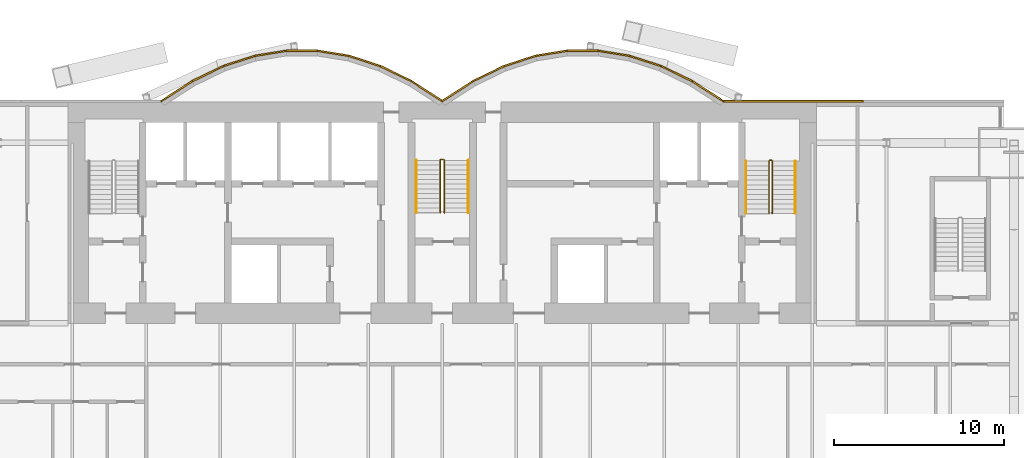
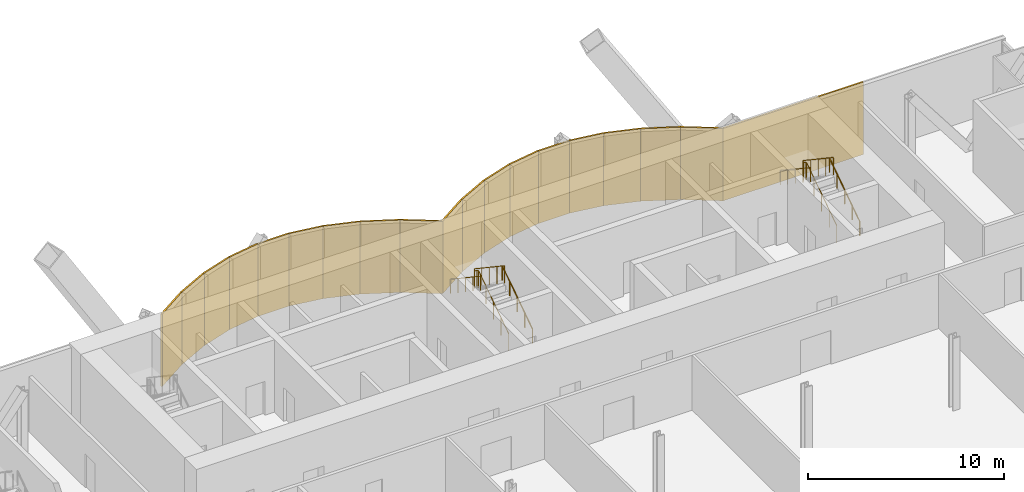
# One storey, part 22 of 23: 19 coverings, 6 railings.
"""IFC4 building model written with IfcOpenShell, lengths in metres."""

import ifcopenshell
import ifcopenshell.guid

model = None  # the IFC model being written
_history = None  # IfcOwnerHistory: only IFC2X3 demands one
_inside = {}  # id of a spatial element -> (the spatial element, [elements in it])
_under = {}  # id of a project, library or spatial element -> (it, [spatial elements below it])
_declared = {}  # id of a project -> (the project, [libraries it declares])
_typed = {}  # id of a type object -> (the type object, [elements of that type])
_made_of = {}  # id of a material, layer set ... -> (it, [elements and type objects made of it])


def new_model(schema):
    """Start an empty IFC model of exactly this schema.

    Asked for "IFC4X3", IfcOpenShell would pick the latest addendum, in which some entities
    have other attributes; the version numbers below select the first issue.
    IFC2X3 requires an IfcOwnerHistory on every rooted entity: one is made here for all.
    """
    global model, _history
    if schema == "IFC4X3":
        model = ifcopenshell.file(schema_version=(4, 3, 0, 0))
    else:
        model = ifcopenshell.file(schema=schema)
    _inside.clear()
    _under.clear()
    _declared.clear()
    _typed.clear()
    _made_of.clear()
    _history = None
    if model.schema == "IFC2X3":
        org = make("IfcOrganization", Name="unknown")
        user = make(
            "IfcPersonAndOrganization",
            ThePerson=make("IfcPerson", FamilyName="unknown"),
            TheOrganization=org,
        )
        app = make(
            "IfcApplication",
            ApplicationDeveloper=org,
            Version="unknown",
            ApplicationFullName="unknown",
            ApplicationIdentifier="unknown",
        )
        _history = make(
            "IfcOwnerHistory",
            OwningUser=user,
            OwningApplication=app,
            ChangeAction="ADDED",
            CreationDate=0,
        )
    return model


def make(cls, **values):
    """One entity of the class cls with the attributes given. An attribute that is None is left unset."""
    return model.create_entity(
        cls, **{name: value for name, value in values.items() if value is not None}
    )


def rooted(cls, **values):
    """An entity with a GlobalId (a new one), such as an element, a storey or a relation."""
    return make(cls, GlobalId=ifcopenshell.guid.new(), OwnerHistory=_history, **values)


def si_unit(unit_type, name, prefix=None):
    """IfcSIUnit, for example si_unit("LENGTHUNIT", "METRE", prefix="MILLI")."""
    return make("IfcSIUnit", UnitType=unit_type, Prefix=prefix, Name=name)


def assignment(units):
    """IfcUnitAssignment: the units of a project."""
    return None if units is None else make("IfcUnitAssignment", Units=units)


def point(xyz):
    """IfcCartesianPoint."""
    return None if xyz is None else make("IfcCartesianPoint", Coordinates=xyz)


def direction(xyz):
    """IfcDirection."""
    return None if xyz is None else make("IfcDirection", DirectionRatios=xyz)


def frame(location, z_axis=None, x_axis=None):
    """IfcAxis2Placement3D, a coordinate frame: its origin and axes. An axis left out is left unset."""
    return make(
        "IfcAxis2Placement3D",
        Location=point(location),
        Axis=direction(z_axis),
        RefDirection=direction(x_axis),
    )


def frame_2d(location, x_axis=None):
    """IfcAxis2Placement2D, a coordinate frame in the plane: its origin and x axis."""
    return make(
        "IfcAxis2Placement2D", Location=point(location), RefDirection=direction(x_axis)
    )


def origin():
    """The frame at (0, 0, 0) with its axes left unset."""
    return frame((0.0, 0.0, 0.0))


def origin_2d():
    """The frame at (0, 0) in the plane with its x axis left unset."""
    return frame_2d((0.0, 0.0))


def place(relative_to, where):
    """IfcLocalPlacement: puts the frame where relative to a parent placement (None: the world)."""
    return make(
        "IfcLocalPlacement", PlacementRelTo=relative_to, RelativePlacement=where
    )


def context(
    kind, dimensions, precision=None, world=None, true_north=None, identifier=None
):
    """IfcGeometricRepresentationContext, for example the 3D "Model" context."""
    return make(
        "IfcGeometricRepresentationContext",
        ContextIdentifier=identifier,
        ContextType=kind,
        CoordinateSpaceDimension=dimensions,
        Precision=precision,
        WorldCoordinateSystem=world,
        TrueNorth=true_north,
    )


def subcontext(parent, identifier, kind, view, scale=None):
    """IfcGeometricRepresentationSubContext, for example "Body" below "Model"."""
    return make(
        "IfcGeometricRepresentationSubContext",
        ContextIdentifier=identifier,
        ContextType=kind,
        ParentContext=parent,
        TargetScale=scale,
        TargetView=view,
    )


def project(units=None, contexts=None):
    """IfcProject with its units and contexts."""
    return rooted(
        "IfcProject",
        Name="project",
        RepresentationContexts=contexts,
        UnitsInContext=assignment(units),
    )


def spatial(cls, under=None, at=None, **own):
    """A site, building, storey or space (cls), placed at a placement, below another one or the project."""
    s = rooted(cls, ObjectPlacement=at, **own)
    if under is not None:
        _under.setdefault(under.id(), (under, []))[1].append(s)
    return s


def profile(cls, at=None, kind="AREA", **sizes):
    """A parametric profile (cls). Its sizes go by their IFC names, for example OverallWidth=200.0."""
    return make(cls, ProfileType=kind, Position=at, **sizes)


def rectangle(**sizes):
    """IfcRectangleProfileDef."""
    return profile("IfcRectangleProfileDef", **sizes)


def circle(**sizes):
    """IfcCircleProfileDef."""
    return profile("IfcCircleProfileDef", **sizes)


def extrude(swept, where, along, depth):
    """IfcExtrudedAreaSolid: the profile swept, set in the frame where, extruded along a direction by depth."""
    return make(
        "IfcExtrudedAreaSolid",
        SweptArea=swept,
        Position=where,
        ExtrudedDirection=direction(along),
        Depth=depth,
    )


def shape(context_of_items, identifier, shape_type, items):
    """IfcShapeRepresentation: the items that make up one representation, for example the "Body"."""
    return make(
        "IfcShapeRepresentation",
        ContextOfItems=context_of_items,
        RepresentationIdentifier=identifier,
        RepresentationType=shape_type,
        Items=items,
    )


def material(Name=None, Category=None):
    """IfcMaterial."""
    return make("IfcMaterial", Name=Name, Category=Category)


def layer(
    of_material, thickness, ventilated=None, Name=None, Category=None, Priority=None
):
    """IfcMaterialLayer: one layer of a wall or slab, of a material (None: an air gap)."""
    return make(
        "IfcMaterialLayer",
        Material=of_material,
        LayerThickness=thickness,
        IsVentilated=ventilated,
        Name=Name,
        Category=Category,
        Priority=Priority,
    )


def layer_set(layers, Name=None):
    """IfcMaterialLayerSet."""
    return make("IfcMaterialLayerSet", MaterialLayers=layers, LayerSetName=Name)


def made_of(thing, what):
    """Note that an element or type object is made of a material, layer set ...; save() writes the relation."""
    if what is not None:
        _made_of.setdefault(what.id(), (what, []))[1].append(thing)
    return thing


def type_object(cls, material=None, **own):
    """A type object (cls), such as IfcWallType, which elements share."""
    return made_of(rooted(cls, **own), material)


def element(
    cls,
    number,
    at=None,
    inside=None,
    cuts=None,
    type_object=None,
    material=None,
    context=None,
    identifier="Body",
    shape_type=None,
    held_by="IfcProductDefinitionShape",
    body=None,
    shapes=None,
    **own,
):
    """One element of the class cls, such as IfcWall. Its Tag is "e" and its number.

    at: its placement. inside: the storey or other place that contains it. cuts: it is an
    opening in that element (IfcRelVoidsElement). A single representation is given by context,
    identifier, shape_type and body (its items); several are given by shapes. held_by: the class
    of the entity that holds the representations. save() writes the other relations.
    """
    e = rooted(cls, Tag="e%d" % number, ObjectPlacement=at, **own)
    if body is not None:
        shapes = [shape(context, identifier, shape_type, body)]
    if shapes is not None:
        e.Representation = make(held_by, Representations=shapes)
    if inside is not None:
        _inside.setdefault(inside.id(), (inside, []))[1].append(e)
    if cuts is not None:
        rooted(
            "IfcRelVoidsElement", RelatingBuildingElement=cuts, RelatedOpeningElement=e
        )
    if type_object is not None:
        _typed.setdefault(type_object.id(), (type_object, []))[1].append(e)
    return made_of(e, material)


def aggregate(whole, parts):
    """IfcRelAggregates: a whole, such as a stair, and the parts it consists of."""
    return rooted("IfcRelAggregates", RelatingObject=whole, RelatedObjects=parts)


def save(model, path):
    """Write the relations noted so far, then the file.

    IfcRelAggregates (storeys below a building ...), IfcRelContainedInSpatialStructure (elements
    in a storey), IfcRelDefinesByType, IfcRelAssociatesMaterial and IfcRelDeclares: one each for
    every whole, place, type object, material and project.
    """
    for whole, parts in _under.values():
        aggregate(whole, parts)
    for where, things in _inside.values():
        rooted(
            "IfcRelContainedInSpatialStructure",
            RelatedElements=things,
            RelatingStructure=where,
        )
    for kind, things in _typed.values():
        rooted("IfcRelDefinesByType", RelatedObjects=things, RelatingType=kind)
    for what, things in _made_of.values():
        rooted("IfcRelAssociatesMaterial", RelatedObjects=things, RelatingMaterial=what)
    for by, libraries in _declared.values():
        rooted("IfcRelDeclares", RelatingContext=by, RelatedDefinitions=libraries)
    model.write(path)


model = new_model("IFC4")

# Units and contexts
model_context = context("Model", 3, precision=1e-05, world=origin(), true_north=direction((0.0, 1.0)))
body_context = subcontext(model_context, "Body", "Model", "MODEL_VIEW")
ifc_project = project(units=[si_unit("LENGTHUNIT", "METRE"), si_unit("AREAUNIT", "SQUARE_METRE"), si_unit("VOLUMEUNIT", "CUBIC_METRE"), si_unit("PLANEANGLEUNIT", "RADIAN"), si_unit("MASSUNIT", "GRAM", prefix="KILO")], contexts=[model_context])

# Site, building, storey
site_placement = place(None, origin())
site = spatial("IfcSite", under=ifc_project, at=site_placement, CompositionType="ELEMENT")
building_placement = place(site_placement, origin())
building = spatial("IfcBuilding", under=site, at=building_placement, Name="Bicima Exchange Tower", CompositionType="ELEMENT")
storey_placement = place(building_placement, frame((0.0, 0.0, 62.0)))
storey = spatial("IfcBuildingStorey", under=building, at=storey_placement, Name="L12", CompositionType="ELEMENT", Elevation=62.0)

# Coverings
ifc_material_1 = material(Name="Bronze metal cladding")
ifc_layer_1 = layer(ifc_material_1, 0.004)
ifc_material_2 = material(Name="Ventilated cavity")
ifc_layer_2 = layer(ifc_material_2, 0.06)
ifc_material_3 = material(Name="Galvanised steel rail and mineral wool", Category="steel")
ifc_layer_3 = layer(ifc_material_3, 0.036)
ifc_layer_set = layer_set([ifc_layer_1, ifc_layer_2, ifc_layer_3], Name="Ventilated cavity")
covering_type = type_object("IfcCoveringType", Name="Bronze metal cladding panel 100", PredefinedType="CLADDING", material=ifc_layer_set)
covering_1_placement = place(storey_placement, frame((20.625, 0.050048828125, -0.14990234375), z_axis=(0.0, 0.0, 1.0), x_axis=(-1.0, 0.0, 0.0)))
element("IfcCovering", 1, at=covering_1_placement, inside=storey, type_object=covering_type, Name="Bronze cladding L12 1.2", PredefinedType="CLADDING", context=body_context, shape_type="SweptSolid", body=[
    extrude(rectangle(XDim=8.25, YDim=0.10009765625, at=origin_2d()), origin(), (0.0, 0.0, 1.0), 4.5),
])
covering_2_placement = place(storey_placement, frame((15.610595703125, 0.634521484375, -0.14990234375), z_axis=(0.0, 0.0, 1.0), x_axis=(-0.839790466384, 0.542910648791, 0.0)))
element("IfcCovering", 2, at=covering_2_placement, inside=storey, type_object=covering_type, Name="Bronze cladding L12 2.1", PredefinedType="CLADDING", context=body_context, shape_type="SweptSolid", body=[
    extrude(rectangle(XDim=2.18310546875, YDim=0.10009765625, at=origin_2d()), origin(), (0.0, 0.0, 1.0), 4.5),
])
covering_3_placement = place(storey_placement, frame((13.771728515625, 1.674560546875, -0.14990234375), z_axis=(0.0, 0.0, 1.0), x_axis=(-0.899818346812, 0.436264762204, 0.0)))
element("IfcCovering", 3, at=covering_3_placement, inside=storey, type_object=covering_type, Name="Bronze cladding L12 3.1", PredefinedType="CLADDING", context=body_context, shape_type="SweptSolid", body=[
    extrude(rectangle(XDim=2.03759765625, YDim=0.10009765625, at=origin_2d()), origin(), (0.0, 0.0, 1.0), 4.5),
])
covering_4_placement = place(storey_placement, frame((11.931884765625, 2.41796875, -0.14990234375), z_axis=(0.0, 0.0, 1.0), x_axis=(-0.951524642381, 0.307572519808, 0.0)))
element("IfcCovering", 4, at=covering_4_placement, inside=storey, type_object=covering_type, Name="Bronze cladding L12 4.1", PredefinedType="CLADDING", context=body_context, shape_type="SweptSolid", body=[
    extrude(rectangle(XDim=1.9267578125, YDim=0.10009765625, at=origin_2d()), origin(), (0.0, 0.0, 1.0), 4.5),
])
covering_5_placement = place(storey_placement, frame((10.09130859375, 2.8642578125, -0.14990234375), z_axis=(0.0, 0.0, 1.0), x_axis=(-0.987189786347, 0.159550386184, 0.0)))
element("IfcCovering", 5, at=covering_5_placement, inside=storey, type_object=covering_type, Name="Bronze cladding L12 5.1", PredefinedType="CLADDING", context=body_context, shape_type="SweptSolid", body=[
    extrude(rectangle(XDim=1.857177734375, YDim=0.10009765625, at=origin_2d()), origin(), (0.0, 0.0, 1.0), 4.5),
])
covering_6_placement = place(storey_placement, frame((8.25, 3.012939453125, -0.14990234375), z_axis=(0.0, 0.0, 1.0), x_axis=(-1.0, 0.0, 0.0)))
element("IfcCovering", 6, at=covering_6_placement, inside=storey, type_object=covering_type, Name="Bronze cladding L12 6.1", PredefinedType="CLADDING", context=body_context, shape_type="SweptSolid", body=[
    extrude(rectangle(XDim=1.83349609375, YDim=0.10009765625, at=origin_2d()), origin(), (0.0, 0.0, 1.0), 4.5),
])
covering_7_placement = place(storey_placement, frame((6.40869140625, 2.8642578125, -0.14990234375), z_axis=(0.0, 0.0, 1.0), x_axis=(-0.987189786347, -0.159550386184, 0.0)))
element("IfcCovering", 7, at=covering_7_placement, inside=storey, type_object=covering_type, Name="Bronze cladding L12 7.1", PredefinedType="CLADDING", context=body_context, shape_type="SweptSolid", body=[
    extrude(rectangle(XDim=1.857177734375, YDim=0.10009765625, at=origin_2d()), origin(), (0.0, 0.0, 1.0), 4.5),
])
covering_8_placement = place(storey_placement, frame((4.568115234375, 2.41796875, -0.14990234375), z_axis=(0.0, 0.0, 1.0), x_axis=(-0.951524642381, -0.307572519808, 0.0)))
element("IfcCovering", 8, at=covering_8_placement, inside=storey, type_object=covering_type, Name="Bronze cladding L12 8.1", PredefinedType="CLADDING", context=body_context, shape_type="SweptSolid", body=[
    extrude(rectangle(XDim=1.9267578125, YDim=0.10009765625, at=origin_2d()), origin(), (0.0, 0.0, 1.0), 4.5),
])
covering_9_placement = place(storey_placement, frame((2.728271484375, 1.674560546875, -0.14990234375), z_axis=(0.0, 0.0, 1.0), x_axis=(-0.899818346812, -0.436264762204, 0.0)))
element("IfcCovering", 9, at=covering_9_placement, inside=storey, type_object=covering_type, Name="Bronze cladding L12 9.1", PredefinedType="CLADDING", context=body_context, shape_type="SweptSolid", body=[
    extrude(rectangle(XDim=2.03759765625, YDim=0.10009765625, at=origin_2d()), origin(), (0.0, 0.0, 1.0), 4.5),
])
for number, where, z_axis, x_axis, name in (
    (10, (0.889404296875, 0.634521484375, -0.14990234375), (0.0, 0.0, 1.0), (-0.839790466384, -0.542910648791, 0.0), "Bronze cladding L12 10.1"),
    (11, (-0.889404296875, 0.634521484375, -0.14990234375), (0.0, 0.0, 1.0), (-0.839790466384, 0.542910648791, 0.0), "Bronze cladding L12 11.1"),
):
    element("IfcCovering", number, at=place(storey_placement, frame(where, z_axis=z_axis, x_axis=x_axis)), inside=storey, type_object=covering_type, Name=name, PredefinedType="CLADDING", context=body_context, shape_type="SweptSolid", body=[
        extrude(rectangle(XDim=2.18310546875, YDim=0.10009765625, at=origin_2d()), origin(), (0.0, 0.0, 1.0), 4.5),
    ])
covering_10_placement = place(storey_placement, frame((-2.728271484375, 1.674560546875, -0.14990234375), z_axis=(0.0, 0.0, 1.0), x_axis=(-0.899818346812, 0.436264762204, 0.0)))
element("IfcCovering", 12, at=covering_10_placement, inside=storey, type_object=covering_type, Name="Bronze cladding L12 12.1", PredefinedType="CLADDING", context=body_context, shape_type="SweptSolid", body=[
    extrude(rectangle(XDim=2.03759765625, YDim=0.10009765625, at=origin_2d()), origin(), (0.0, 0.0, 1.0), 4.5),
])
covering_11_placement = place(storey_placement, frame((-4.568115234375, 2.41796875, -0.14990234375), z_axis=(0.0, 0.0, 1.0), x_axis=(-0.951524642381, 0.307572519808, 0.0)))
element("IfcCovering", 13, at=covering_11_placement, inside=storey, type_object=covering_type, Name="Bronze cladding L12 13.1", PredefinedType="CLADDING", context=body_context, shape_type="SweptSolid", body=[
    extrude(rectangle(XDim=1.9267578125, YDim=0.10009765625, at=origin_2d()), origin(), (0.0, 0.0, 1.0), 4.5),
])
covering_12_placement = place(storey_placement, frame((-6.40869140625, 2.8642578125, -0.14990234375), z_axis=(0.0, 0.0, 1.0), x_axis=(-0.987189786347, 0.159550386184, 0.0)))
element("IfcCovering", 14, at=covering_12_placement, inside=storey, type_object=covering_type, Name="Bronze cladding L12 14.1", PredefinedType="CLADDING", context=body_context, shape_type="SweptSolid", body=[
    extrude(rectangle(XDim=1.857177734375, YDim=0.10009765625, at=origin_2d()), origin(), (0.0, 0.0, 1.0), 4.5),
])
covering_13_placement = place(storey_placement, frame((-8.25, 3.012939453125, -0.14990234375), z_axis=(0.0, 0.0, 1.0), x_axis=(-1.0, 0.0, 0.0)))
element("IfcCovering", 15, at=covering_13_placement, inside=storey, type_object=covering_type, Name="Bronze cladding L12 15.1", PredefinedType="CLADDING", context=body_context, shape_type="SweptSolid", body=[
    extrude(rectangle(XDim=1.83349609375, YDim=0.10009765625, at=origin_2d()), origin(), (0.0, 0.0, 1.0), 4.5),
])
covering_14_placement = place(storey_placement, frame((-10.09130859375, 2.8642578125, -0.14990234375), z_axis=(0.0, 0.0, 1.0), x_axis=(-0.987189786347, -0.159550386184, 0.0)))
element("IfcCovering", 16, at=covering_14_placement, inside=storey, type_object=covering_type, Name="Bronze cladding L12 16.1", PredefinedType="CLADDING", context=body_context, shape_type="SweptSolid", body=[
    extrude(rectangle(XDim=1.857177734375, YDim=0.10009765625, at=origin_2d()), origin(), (0.0, 0.0, 1.0), 4.5),
])
covering_15_placement = place(storey_placement, frame((-11.931884765625, 2.41796875, -0.14990234375), z_axis=(0.0, 0.0, 1.0), x_axis=(-0.951524642381, -0.307572519808, 0.0)))
element("IfcCovering", 17, at=covering_15_placement, inside=storey, type_object=covering_type, Name="Bronze cladding L12 17.1", PredefinedType="CLADDING", context=body_context, shape_type="SweptSolid", body=[
    extrude(rectangle(XDim=1.9267578125, YDim=0.10009765625, at=origin_2d()), origin(), (0.0, 0.0, 1.0), 4.5),
])
covering_16_placement = place(storey_placement, frame((-13.771728515625, 1.674560546875, -0.14990234375), z_axis=(0.0, 0.0, 1.0), x_axis=(-0.899818346812, -0.436264762204, 0.0)))
element("IfcCovering", 18, at=covering_16_placement, inside=storey, type_object=covering_type, Name="Bronze cladding L12 18.1", PredefinedType="CLADDING", context=body_context, shape_type="SweptSolid", body=[
    extrude(rectangle(XDim=2.03759765625, YDim=0.10009765625, at=origin_2d()), origin(), (0.0, 0.0, 1.0), 4.5),
])
covering_17_placement = place(storey_placement, frame((-15.610595703125, 0.634521484375, -0.14990234375), z_axis=(0.0, 0.0, 1.0), x_axis=(-0.839790466384, -0.542910648791, 0.0)))
element("IfcCovering", 19, at=covering_17_placement, inside=storey, type_object=covering_type, Name="Bronze cladding L12 19.1", PredefinedType="CLADDING", context=body_context, shape_type="SweptSolid", body=[
    extrude(rectangle(XDim=2.18310546875, YDim=0.10009765625, at=origin_2d()), origin(), (0.0, 0.0, 1.0), 4.5),
])

# Railings
ifc_material_4 = material(Name="Stainless steel", Category="steel")
railing_type_1 = type_object("IfcRailingType", Name="Stair guard 1100", PredefinedType="GUARDRAIL", material=ifc_material_4)
railing_1_placement = place(storey_placement, frame((0.125, -6.5, 0.1875)))
element("IfcRailing", 20, at=railing_1_placement, inside=storey, type_object=railing_type_1, Name="L12 ST-C stair guard 1", PredefinedType="GUARDRAIL", context=body_context, shape_type="SweptSolid", body=[
    extrude(circle(Radius=0.02392578125, at=origin_2d()), frame((0.0, 0.0, 1.076171875), z_axis=(0.0, 0.830913701846, 0.55640131208), x_axis=(-1.0, 0.0, 0.0)), (0.0, 0.0, 1.0), 3.706787109375),
    extrude(circle(Radius=0.02392578125, at=origin_2d()), frame((0.0, 3.080078125, 3.138671875), z_axis=(-0.708833529934, 0.705375805398, 0.0), x_axis=(-0.705375805398, -0.708833529934, 0.0)), (0.0, 0.0, 1.0), 0.070556640625),
    extrude(circle(Radius=0.02392578125, at=origin_2d()), frame((-0.050048828125, 3.1298828125, 3.138671875), z_axis=(-1.0, 0.0, 0.0), x_axis=(0.0, -1.0, 0.0)), (0.0, 0.0, 1.0), 0.14990234375),
    extrude(circle(Radius=0.02392578125, at=origin_2d()), frame((-0.199951171875, 3.1298828125, 3.138671875), z_axis=(-0.249802250048, -0.248583702486, 0.935844527007), x_axis=(0.705375805398, -0.708833529934, 0.0)), (0.0, 0.0, 1.0), 0.200439453125),
    extrude(circle(Radius=0.02392578125, at=origin_2d()), frame((-0.25, 3.080078125, 3.326171875), z_axis=(0.0, -0.830913701846, 0.55640131208), x_axis=(1.0, 0.0, 0.0)), (0.0, 0.0, 1.0), 3.706787109375),
    extrude(circle(Radius=0.02099609375, at=origin_2d()), origin(), (0.0, 0.0, 1.0), 1.052001953125),
    extrude(circle(Radius=0.02099609375, at=origin_2d()), frame((0.0, 0.77001953125, 0.515625)), (0.0, 0.0, 1.0), 1.052001953125),
    extrude(circle(Radius=0.02099609375, at=origin_2d()), frame((0.0, 1.5400390625, 1.03125)), (0.0, 0.0, 1.0), 1.052001953125),
    extrude(circle(Radius=0.02099609375, at=origin_2d()), frame((0.0, 2.31005859375, 1.546875)), (0.0, 0.0, 1.0), 1.052001953125),
    extrude(circle(Radius=0.02099609375, at=origin_2d()), frame((0.0, 3.080078125, 2.0625)), (0.0, 0.0, 1.0), 1.052001953125),
    extrude(circle(Radius=0.02099609375, at=origin_2d()), frame((-0.050048828125, 3.1298828125, 2.0625)), (0.0, 0.0, 1.0), 1.052001953125),
    extrude(circle(Radius=0.02099609375, at=origin_2d()), frame((-0.199951171875, 3.1298828125, 2.0625)), (0.0, 0.0, 1.0), 1.052001953125),
    extrude(circle(Radius=0.02099609375, at=origin_2d()), frame((-0.25, 3.080078125, 2.25)), (0.0, 0.0, 1.0), 1.052001953125),
    extrude(circle(Radius=0.02099609375, at=origin_2d()), frame((-0.25, 2.31005859375, 2.765625)), (0.0, 0.0, 1.0), 1.052001953125),
    extrude(circle(Radius=0.02099609375, at=origin_2d()), frame((-0.25, 1.5400390625, 3.28125)), (0.0, 0.0, 1.0), 1.052001953125),
    extrude(circle(Radius=0.02099609375, at=origin_2d()), frame((-0.25, 0.77001953125, 3.796875)), (0.0, 0.0, 1.0), 1.052001953125),
    extrude(circle(Radius=0.02099609375, at=origin_2d()), frame((-0.25, 0.0, 4.3125)), (0.0, 0.0, 1.0), 1.052001953125),
])
railing_2_placement = place(storey_placement, frame((19.39990234375, -6.550048828125, 0.1875)))
element("IfcRailing", 21, at=railing_2_placement, inside=storey, type_object=railing_type_1, Name="L12 ST-E stair guard 1", PredefinedType="GUARDRAIL", context=body_context, shape_type="SweptSolid", body=[
    extrude(circle(Radius=0.02392578125, at=origin_2d()), frame((0.0, 0.0, 1.076171875), z_axis=(0.0, 0.830913701846, 0.55640131208), x_axis=(-1.0, 0.0, 0.0)), (0.0, 0.0, 1.0), 3.706787109375),
    extrude(circle(Radius=0.02392578125, at=origin_2d()), frame((0.0, 3.080078125, 3.138671875), z_axis=(-0.705375805398, 0.708833529934, 0.0), x_axis=(-0.708833529934, -0.705375805398, 0.0)), (0.0, 0.0, 1.0), 0.070556640625),
    extrude(circle(Radius=0.02392578125, at=origin_2d()), frame((-0.0498046875, 3.130126953125, 3.138671875), z_axis=(-1.0, 0.0, 0.0), x_axis=(0.0, -1.0, 0.0)), (0.0, 0.0, 1.0), 0.10009765625),
    extrude(circle(Radius=0.02392578125, at=origin_2d()), frame((-0.14990234375, 3.130126953125, 3.138671875), z_axis=(-0.249726431254, -0.249726431254, 0.935560483917), x_axis=(0.707106781187, -0.707106781187, 0.0)), (0.0, 0.0, 1.0), 0.200439453125),
    extrude(circle(Radius=0.02392578125, at=origin_2d()), frame((-0.199951171875, 3.080078125, 3.326171875), z_axis=(0.0, -0.830913701846, 0.55640131208), x_axis=(1.0, 0.0, 0.0)), (0.0, 0.0, 1.0), 3.706787109375),
    extrude(circle(Radius=0.02099609375, at=origin_2d()), origin(), (0.0, 0.0, 1.0), 1.052001953125),
    extrude(circle(Radius=0.02099609375, at=origin_2d()), frame((0.0, 0.77001953125, 0.515625)), (0.0, 0.0, 1.0), 1.052001953125),
    extrude(circle(Radius=0.02099609375, at=origin_2d()), frame((0.0, 1.5400390625, 1.03125)), (0.0, 0.0, 1.0), 1.052001953125),
    extrude(circle(Radius=0.02099609375, at=origin_2d()), frame((0.0, 2.31005859375, 1.546875)), (0.0, 0.0, 1.0), 1.052001953125),
    extrude(circle(Radius=0.02099609375, at=origin_2d()), frame((0.0, 3.080078125, 2.0625)), (0.0, 0.0, 1.0), 1.052001953125),
    extrude(circle(Radius=0.02099609375, at=origin_2d()), frame((-0.0498046875, 3.130126953125, 2.0625)), (0.0, 0.0, 1.0), 1.052001953125),
    extrude(circle(Radius=0.02099609375, at=origin_2d()), frame((-0.14990234375, 3.130126953125, 2.0625)), (0.0, 0.0, 1.0), 1.052001953125),
    extrude(circle(Radius=0.02099609375, at=origin_2d()), frame((-0.199951171875, 3.080078125, 2.25)), (0.0, 0.0, 1.0), 1.052001953125),
    extrude(circle(Radius=0.02099609375, at=origin_2d()), frame((-0.199951171875, 2.31005859375, 2.765625)), (0.0, 0.0, 1.0), 1.052001953125),
    extrude(circle(Radius=0.02099609375, at=origin_2d()), frame((-0.199951171875, 1.5400390625, 3.28125)), (0.0, 0.0, 1.0), 1.052001953125),
    extrude(circle(Radius=0.02099609375, at=origin_2d()), frame((-0.199951171875, 0.77001953125, 3.796875)), (0.0, 0.0, 1.0), 1.052001953125),
    extrude(circle(Radius=0.02099609375, at=origin_2d()), frame((-0.199951171875, 0.0, 4.3125)), (0.0, 0.0, 1.0), 1.052001953125),
])
railing_type_2 = type_object("IfcRailingType", Name="Stair handrail 900", PredefinedType="HANDRAIL", material=ifc_material_4)
railing_3_placement = place(storey_placement, frame((1.52490234375, -6.5, 0.1875)))
element("IfcRailing", 22, at=railing_3_placement, inside=storey, type_object=railing_type_2, Name="L12 ST-C stair handrail 1", PredefinedType="HANDRAIL", context=body_context, shape_type="SweptSolid", body=[
    extrude(circle(Radius=0.02392578125, at=origin_2d()), frame((0.0, 0.0, 0.8759765625), z_axis=(0.0, 0.830913701846, 0.55640131208), x_axis=(-1.0, 0.0, 0.0)), (0.0, 0.0, 1.0), 3.706787109375),
    extrude(circle(Radius=0.02099609375, at=origin_2d()), origin(), (0.0, 0.0, 1.0), 0.851806640625),
    extrude(circle(Radius=0.02099609375, at=origin_2d()), frame((0.0, 0.77001953125, 0.515625)), (0.0, 0.0, 1.0), 0.851806640625),
    extrude(circle(Radius=0.02099609375, at=origin_2d()), frame((0.0, 1.5400390625, 1.03125)), (0.0, 0.0, 1.0), 0.851806640625),
    extrude(circle(Radius=0.02099609375, at=origin_2d()), frame((0.0, 2.31005859375, 1.546875)), (0.0, 0.0, 1.0), 0.851806640625),
    extrude(circle(Radius=0.02099609375, at=origin_2d()), frame((0.0, 3.080078125, 2.0625)), (0.0, 0.0, 1.0), 0.851806640625),
])
railing_4_placement = place(storey_placement, frame((-1.52490234375, -3.419921875, 2.47900390625)))
element("IfcRailing", 23, at=railing_4_placement, inside=storey, type_object=railing_type_2, Name="L12 ST-C stair handrail 2", PredefinedType="HANDRAIL", context=body_context, shape_type="SweptSolid", body=[
    extrude(circle(Radius=0.02392578125, at=origin_2d()), frame((0.0, 0.0, 0.8759765625), z_axis=(0.0, -0.830913701846, 0.55640131208), x_axis=(1.0, 0.0, 0.0)), (0.0, 0.0, 1.0), 3.706787109375),
    extrude(circle(Radius=0.02099609375, at=origin_2d()), origin(), (0.0, 0.0, 1.0), 0.851806640625),
    extrude(circle(Radius=0.02099609375, at=origin_2d()), frame((0.0, -0.77001953125, 0.515625)), (0.0, 0.0, 1.0), 0.851806640625),
    extrude(circle(Radius=0.02099609375, at=origin_2d()), frame((0.0, -1.5400390625, 1.03125)), (0.0, 0.0, 1.0), 0.851806640625),
    extrude(circle(Radius=0.02099609375, at=origin_2d()), frame((0.0, -2.31005859375, 1.546875)), (0.0, 0.0, 1.0), 0.851806640625),
    extrude(circle(Radius=0.02099609375, at=origin_2d()), frame((0.0, -3.080078125, 2.0625)), (0.0, 0.0, 1.0), 0.851806640625),
])
railing_5_placement = place(storey_placement, frame((20.75, -6.550048828125, 0.1875)))
element("IfcRailing", 24, at=railing_5_placement, inside=storey, type_object=railing_type_2, Name="L12 ST-E stair handrail 1", PredefinedType="HANDRAIL", context=body_context, shape_type="SweptSolid", body=[
    extrude(circle(Radius=0.02392578125, at=origin_2d()), frame((0.0, 0.0, 0.8759765625), z_axis=(0.0, 0.830913701846, 0.55640131208), x_axis=(-1.0, 0.0, 0.0)), (0.0, 0.0, 1.0), 3.706787109375),
    extrude(circle(Radius=0.02099609375, at=origin_2d()), origin(), (0.0, 0.0, 1.0), 0.851806640625),
    extrude(circle(Radius=0.02099609375, at=origin_2d()), frame((0.0, 0.77001953125, 0.515625)), (0.0, 0.0, 1.0), 0.851806640625),
    extrude(circle(Radius=0.02099609375, at=origin_2d()), frame((0.0, 1.5400390625, 1.03125)), (0.0, 0.0, 1.0), 0.851806640625),
    extrude(circle(Radius=0.02099609375, at=origin_2d()), frame((0.0, 2.31005859375, 1.546875)), (0.0, 0.0, 1.0), 0.851806640625),
    extrude(circle(Radius=0.02099609375, at=origin_2d()), frame((0.0, 3.080078125, 2.0625)), (0.0, 0.0, 1.0), 0.851806640625),
])
railing_6_placement = place(storey_placement, frame((17.85009765625, -3.469970703125, 2.47900390625)))
element("IfcRailing", 25, at=railing_6_placement, inside=storey, type_object=railing_type_2, Name="L12 ST-E stair handrail 2", PredefinedType="HANDRAIL", context=body_context, shape_type="SweptSolid", body=[
    extrude(circle(Radius=0.02392578125, at=origin_2d()), frame((0.0, 0.0, 0.8759765625), z_axis=(0.0, -0.830913701846, 0.55640131208), x_axis=(1.0, 0.0, 0.0)), (0.0, 0.0, 1.0), 3.706787109375),
    extrude(circle(Radius=0.02099609375, at=origin_2d()), origin(), (0.0, 0.0, 1.0), 0.851806640625),
    extrude(circle(Radius=0.02099609375, at=origin_2d()), frame((0.0, -0.77001953125, 0.515625)), (0.0, 0.0, 1.0), 0.851806640625),
    extrude(circle(Radius=0.02099609375, at=origin_2d()), frame((0.0, -1.5400390625, 1.03125)), (0.0, 0.0, 1.0), 0.851806640625),
    extrude(circle(Radius=0.02099609375, at=origin_2d()), frame((0.0, -2.31005859375, 1.546875)), (0.0, 0.0, 1.0), 0.851806640625),
    extrude(circle(Radius=0.02099609375, at=origin_2d()), frame((0.0, -3.080078125, 2.0625)), (0.0, 0.0, 1.0), 0.851806640625),
])

save(model, "model.ifc")
